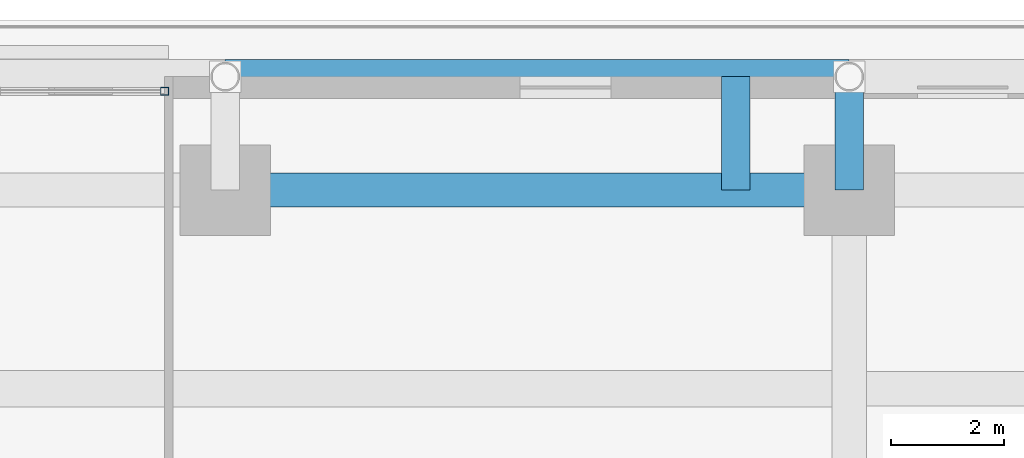
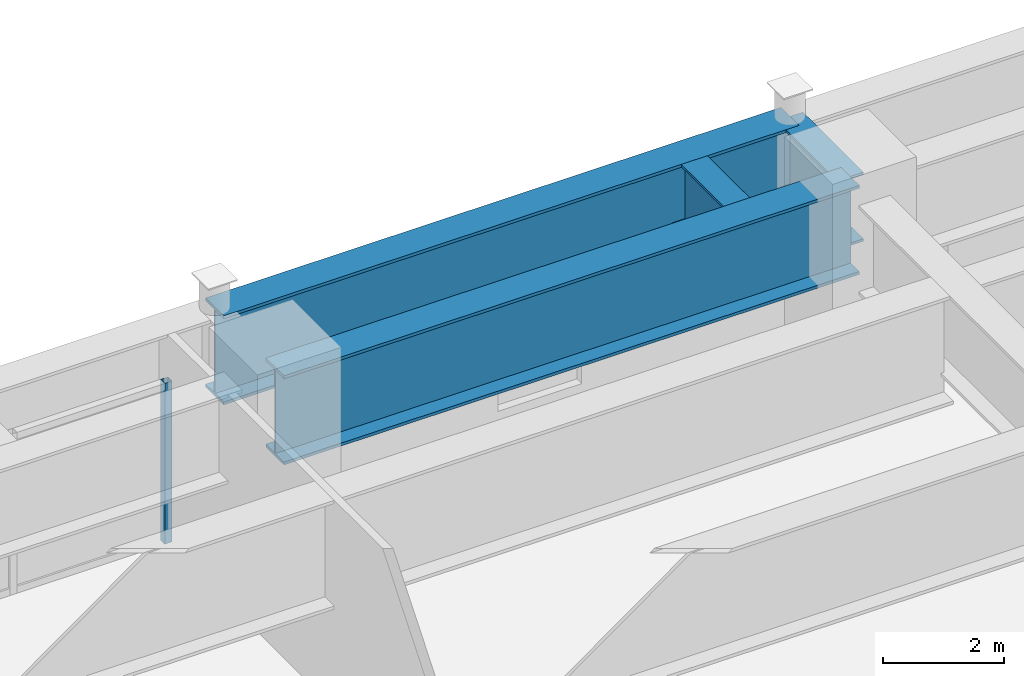
# One storey, part 20 of 35: 4 beams, 1 member, 1 element without a shape of its own.
"""IFC4 building model written with IfcOpenShell, lengths in metres."""

from ifc_helpers import new_model, si_unit, direction, frame, origin, origin_2d, place, context, subcontext, project, spatial, hollow_rectangle, i_section, extrude, source, transform, mapped, material, material_profile, profile_set, type_object, element, aggregate, save


model = new_model("IFC4")

# Units and contexts
model_context = context("Model", 3, precision=1e-05, world=origin(), true_north=direction((0.0, 1.0)))
body_context = subcontext(model_context, "Body", "Model", "MODEL_VIEW")
ifc_project = project(units=[si_unit("LENGTHUNIT", "METRE"), si_unit("AREAUNIT", "SQUARE_METRE"), si_unit("VOLUMEUNIT", "CUBIC_METRE"), si_unit("PLANEANGLEUNIT", "RADIAN"), si_unit("MASSUNIT", "GRAM", prefix="KILO")], contexts=[model_context])

# Site, building, storey
site_placement = place(None, origin())
site = spatial("IfcSite", under=ifc_project, at=site_placement, CompositionType="ELEMENT")
building_placement = place(site_placement, origin())
building = spatial("IfcBuilding", under=site, at=building_placement, Name="Khorayat Bourse Tower", CompositionType="ELEMENT")
storey_placement = place(building_placement, frame((0.0, 0.0, 22.199951171875)))
storey = spatial("IfcBuildingStorey", under=building, at=storey_placement, Name="L04", CompositionType="ELEMENT", Elevation=22.199951171875)

# Beams
ifc_material_1 = material(Name="Steel EN 10025-4 S460M", Category="steel")
ifc_material_profile_1 = material_profile(ifc_material_1, i_section(OverallWidth=0.60009765625, OverallDepth=1.800048828125, WebThickness=0.031982421875, FlangeThickness=0.06005859375, at=origin_2d()), Name="PG 1800x600x32x60")
ifc_profile_set_1 = profile_set([ifc_material_profile_1], Name="Steel EN 10025-4 S460M")
beam_type_1 = type_object("IfcBeamType", Name="BM-TR-1800", PredefinedType="BEAM", material=ifc_profile_set_1)
shared_shape_1 = source(origin(), body_context, "Body", "SweptSolid", [
    extrude(i_section(OverallWidth=0.60009765625, OverallDepth=1.800048828125, WebThickness=0.031982421875, FlangeThickness=0.06005859375, at=origin_2d()), origin(), (0.0, 0.0, 1.0), 11.0),
])
for number, where, z_axis, x_axis, name in (
    (1, (11.0, 32.0, 3.300048828125), (1.0, 0.0, 0.0), (0.0, 1.0, 0.0), "L04 BM-TR-1800 BM-L04-PGX-088"),
    (2, (11.0, 34.0, 3.300048828125), (1.0, 0.0, 0.0), (0.0, 1.0, 0.0), "L04 BM-TR-1800 BM-L04-PGX-095"),
):
    element("IfcBeam", number, at=place(storey_placement, frame(where, z_axis=z_axis, x_axis=x_axis)), inside=storey, type_object=beam_type_1, Name=name, PredefinedType="BEAM", context=body_context, shape_type="MappedRepresentation", body=[
        mapped(shared_shape_1, transform((0.0, 0.0, 0.0), scale=1.0)),
    ])
ifc_material_profile_2 = material_profile(ifc_material_1, i_section(OverallWidth=0.5, OverallDepth=1.39990234375, WebThickness=0.02490234375, FlangeThickness=0.050048828125, at=origin_2d()), Name="PG 1400x500x25x50")
ifc_profile_set_2 = profile_set([ifc_material_profile_2], Name="Steel EN 10025-4 S460M")
beam_type_2 = type_object("IfcBeamType", Name="BM-TR-1400", PredefinedType="BEAM", material=ifc_profile_set_2)
shared_shape_2 = source(origin(), body_context, "Body", "SweptSolid", [
    extrude(i_section(OverallWidth=0.5, OverallDepth=1.39990234375, WebThickness=0.02490234375, FlangeThickness=0.050048828125, at=origin_2d()), origin(), (0.0, 0.0, 1.0), 2.0),
])
for number, where, z_axis, x_axis, name in (
    (3, (20.0, 32.0, 3.5), (0.0, 1.0, 0.0), (-1.0, 0.0, 0.0), "L04 BM-TR-1400 BM-L04-PGY-138"),
    (4, (22.0, 32.0, 3.5), (0.0, 1.0, 0.0), (-1.0, 0.0, 0.0), "L04 BM-TR-1400 BM-L04-PGY-145"),
):
    element("IfcBeam", number, at=place(storey_placement, frame(where, z_axis=z_axis, x_axis=x_axis)), inside=storey, type_object=beam_type_2, Name=name, PredefinedType="BEAM", context=body_context, shape_type="MappedRepresentation", body=[
        mapped(shared_shape_2, transform((0.0, 0.0, 0.0), scale=1.0)),
    ])

# Curtain wall, member
ifc_material_2 = material(Name="Aluminium EN AW-6063 T6", Category="aluminium")
curtain_wall_type = type_object("IfcCurtainWallType", Name="CW-SYS-01", PredefinedType="NOTDEFINED", material=ifc_material_2)
curtain_wall_placement = place(storey_placement, origin())
curtain_wall = element("IfcCurtainWall", 5, at=curtain_wall_placement, inside=storey, type_object=curtain_wall_type, Name="L04 Curtain Wall CW-L04-NE", PredefinedType="NOTDEFINED")
ifc_material_profile_3 = material_profile(ifc_material_2, hollow_rectangle(XDim=0.139892578125, YDim=0.139892578125, WallThickness=0.006103515625, at=origin_2d()), Name="ALU 140x140x6")
ifc_profile_set_3 = profile_set([ifc_material_profile_3], Name="Aluminium EN AW-6063 T6")
member_type = type_object("IfcMemberType", Name="CWM-VERT-140", PredefinedType="MULLION", material=ifc_profile_set_3)
shared_shape_3 = source(origin(), body_context, "Body", "SweptSolid", [
    extrude(hollow_rectangle(XDim=0.139892578125, YDim=0.139892578125, WallThickness=0.006103515625, at=origin_2d()), origin(), (0.0, 0.0, 1.0), 3.25),
])
member_placement = place(storey_placement, frame((9.929931640625, 33.742919921875, 0.0), z_axis=(0.0, 0.0, 1.0), x_axis=(0.0, -1.0, 0.0)))
member = element("IfcMember", 6, at=member_placement, type_object=member_type, Name="CW-L04-NE Vertical Mullion 1", PredefinedType="MULLION", context=body_context, shape_type="MappedRepresentation", body=[
    mapped(shared_shape_3, transform((0.0, 0.0, 0.0), scale=1.0)),
])
aggregate(curtain_wall, [member])

save(model, "model.ifc")
